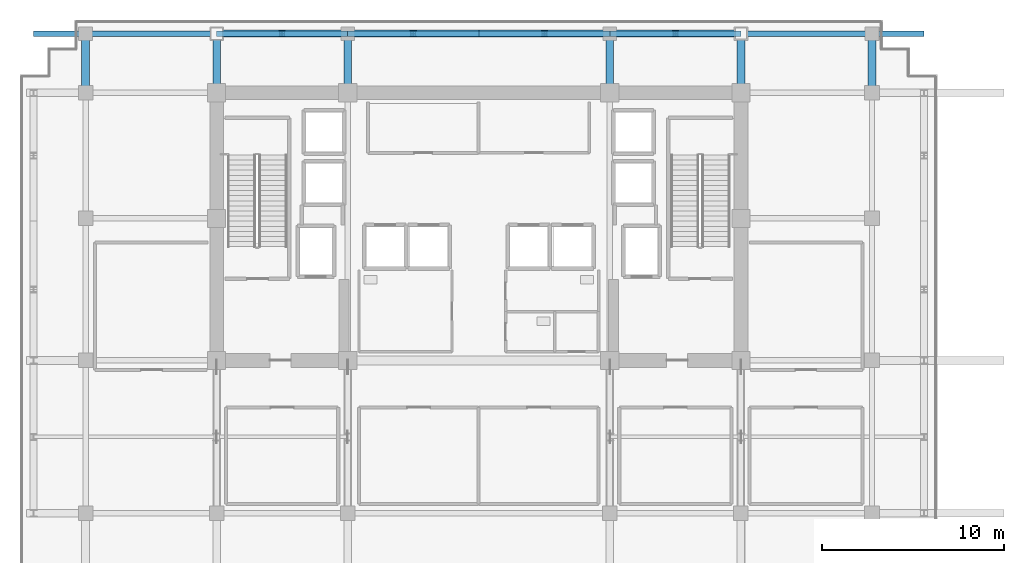
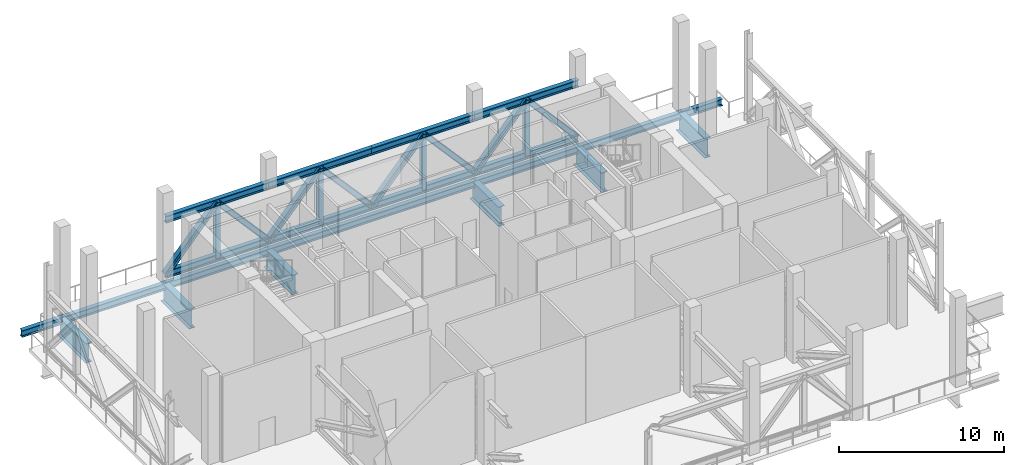
# One storey, part 4 of 13: 20 members, 13 beams.
"""IFC4 building model written with IfcOpenShell, lengths in metres."""

from ifc_helpers import new_model, si_unit, direction, frame, origin, origin_2d, place, context, subcontext, project, spatial, i_section, extrude, source, transform, mapped, material, material_profile, profile_set, type_object, element, save


model = new_model("IFC4")

# Units and contexts
model_context = context("Model", 3, precision=1e-05, world=origin(), true_north=direction((0.0, 1.0)))
body_context = subcontext(model_context, "Body", "Model", "MODEL_VIEW")
ifc_project = project(units=[si_unit("LENGTHUNIT", "METRE"), si_unit("AREAUNIT", "SQUARE_METRE"), si_unit("VOLUMEUNIT", "CUBIC_METRE"), si_unit("PLANEANGLEUNIT", "RADIAN"), si_unit("MASSUNIT", "GRAM", prefix="KILO")], contexts=[model_context])

# Site, building, storey
site_placement = place(None, origin())
site = spatial("IfcSite", under=ifc_project, at=site_placement, CompositionType="ELEMENT")
building_placement = place(site_placement, origin())
building = spatial("IfcBuilding", under=site, at=building_placement, Name="Zarnakvel Exchange Tower", CompositionType="ELEMENT")
storey_placement = place(building_placement, frame((0.0, 0.0, 139.60009765625)))
storey = spatial("IfcBuildingStorey", under=building, at=storey_placement, Name="L39", CompositionType="ELEMENT", Elevation=139.60009765625)

# Beams
ifc_material_1 = material(Name="Steel S355", Category="steel")
ifc_material_profile_1 = material_profile(ifc_material_1, i_section(OverallWidth=0.300048828125, OverallDepth=0.5, WebThickness=0.014404296875, FlangeThickness=0.028076171875, FilletRadius=0.027099609375, at=origin_2d()))
ifc_profile_set_1 = profile_set([ifc_material_profile_1], Name="Steel S355")
beam_type_1 = type_object("IfcBeamType", Name="SP-02", PredefinedType="SPANDREL", material=ifc_profile_set_1)
beam_1_placement = place(storey_placement, frame((-21.60009765625, 16.75, -0.5), z_axis=(1.0, 0.0, 0.0), x_axis=(0.0, 1.0, 0.0)))
element("IfcBeam", 1, at=beam_1_placement, inside=storey, type_object=beam_type_1, Name="L39 Tower E-W Frame Beam", PredefinedType="SPANDREL", context=body_context, shape_type="SweptSolid", body=[
    extrude(i_section(OverallWidth=0.300048828125, OverallDepth=0.5, WebThickness=0.014404296875, FlangeThickness=0.028076171875, FilletRadius=0.027099609375, at=origin_2d()), origin(), (0.0, 0.0, 1.0), 7.2001953125),
])
beam_2_placement = place(storey_placement, frame((-14.39990234375, 16.75, -0.5), z_axis=(1.0, 0.0, 0.0), x_axis=(0.0, 1.0, 0.0)))
element("IfcBeam", 2, at=beam_2_placement, inside=storey, type_object=beam_type_1, Name="L39 Tower E-W Frame Beam", PredefinedType="SPANDREL", context=body_context, shape_type="SweptSolid", body=[
    extrude(i_section(OverallWidth=0.300048828125, OverallDepth=0.5, WebThickness=0.014404296875, FlangeThickness=0.028076171875, FilletRadius=0.027099609375, at=origin_2d()), origin(), (0.0, 0.0, 1.0), 7.199951171875),
])
beam_3_placement = place(storey_placement, frame((-7.199951171875, 16.75, -0.5), z_axis=(1.0, 0.0, 0.0), x_axis=(0.0, 1.0, 0.0)))
element("IfcBeam", 3, at=beam_3_placement, inside=storey, type_object=beam_type_1, Name="L39 Tower E-W Frame Beam", PredefinedType="SPANDREL", context=body_context, shape_type="SweptSolid", body=[
    extrude(i_section(OverallWidth=0.300048828125, OverallDepth=0.5, WebThickness=0.014404296875, FlangeThickness=0.028076171875, FilletRadius=0.027099609375, at=origin_2d()), origin(), (0.0, 0.0, 1.0), 14.39990234375),
])
beam_4_placement = place(storey_placement, frame((7.199951171875, 16.75, -0.5), z_axis=(1.0, 0.0, 0.0), x_axis=(0.0, 1.0, 0.0)))
element("IfcBeam", 4, at=beam_4_placement, inside=storey, type_object=beam_type_1, Name="L39 Tower E-W Frame Beam", PredefinedType="SPANDREL", context=body_context, shape_type="SweptSolid", body=[
    extrude(i_section(OverallWidth=0.300048828125, OverallDepth=0.5, WebThickness=0.014404296875, FlangeThickness=0.028076171875, FilletRadius=0.027099609375, at=origin_2d()), origin(), (0.0, 0.0, 1.0), 7.199951171875),
])
beam_5_placement = place(storey_placement, frame((14.39990234375, 16.75, -0.5), z_axis=(1.0, 0.0, 0.0), x_axis=(0.0, 1.0, 0.0)))
element("IfcBeam", 5, at=beam_5_placement, inside=storey, type_object=beam_type_1, Name="L39 Tower E-W Frame Beam", PredefinedType="SPANDREL", context=body_context, shape_type="SweptSolid", body=[
    extrude(i_section(OverallWidth=0.300048828125, OverallDepth=0.5, WebThickness=0.014404296875, FlangeThickness=0.028076171875, FilletRadius=0.027099609375, at=origin_2d()), origin(), (0.0, 0.0, 1.0), 7.2001953125),
])
for number, where, z_axis, x_axis, name in (
    (6, (-24.449951171875, 16.75, -0.5), (1.0, 0.0, 0.0), (0.0, 1.0, 0.0), "L39 North-West Corner Spandrel"),
    (7, (21.60009765625, 16.75, -0.5), (1.0, 0.0, 0.0), (0.0, 1.0, 0.0), "L39 North-East Corner Spandrel"),
):
    element("IfcBeam", number, at=place(storey_placement, frame(where, z_axis=z_axis, x_axis=x_axis)), inside=storey, type_object=beam_type_1, Name=name, PredefinedType="SPANDREL", context=body_context, shape_type="SweptSolid", body=[
        extrude(i_section(OverallWidth=0.300048828125, OverallDepth=0.5, WebThickness=0.014404296875, FlangeThickness=0.028076171875, FilletRadius=0.027099609375, at=origin_2d()), origin(), (0.0, 0.0, 1.0), 2.849853515625),
    ])
ifc_material_2 = material(Name="Steel S460", Category="steel")
ifc_material_profile_2 = material_profile(ifc_material_2, i_section(OverallWidth=0.419921875, OverallDepth=1.449951171875, WebThickness=0.02392578125, FlangeThickness=0.0400390625, FilletRadius=0.030029296875, at=origin_2d()))
ifc_profile_set_2 = profile_set([ifc_material_profile_2], Name="Steel S460")
beam_type_2 = type_object("IfcBeamType", Name="TG-01", PredefinedType="BEAM", material=ifc_profile_set_2)
for number, where, z_axis, x_axis, name in (
    (8, (-14.39990234375, 13.5, -0.97509765625), (0.0, 1.0, 0.0), (-1.0, 0.0, 0.0), "L39 Setback N-S Transfer Girder TN-4"),
    (9, (-7.199951171875, 13.5, -0.97509765625), (0.0, 1.0, 0.0), (-1.0, 0.0, 0.0), "L39 Setback N-S Transfer Girder TN-5"),
    (10, (7.199951171875, 13.5, -0.97509765625), (0.0, 1.0, 0.0), (-1.0, 0.0, 0.0), "L39 Setback N-S Transfer Girder TN-8"),
    (11, (14.39990234375, 13.5, -0.97509765625), (0.0, 1.0, 0.0), (-1.0, 0.0, 0.0), "L39 Setback N-S Transfer Girder TN-9"),
    (12, (-21.60009765625, 13.5, -0.97509765625), (0.0, 1.0, 0.0), (-1.0, 0.0, 0.0), "L39 Setback N-S Transfer Girder TN-3"),
    (13, (21.60009765625, 13.5, -0.97509765625), (0.0, 1.0, 0.0), (-1.0, 0.0, 0.0), "L39 Setback N-S Transfer Girder TN-10"),
):
    element("IfcBeam", number, at=place(storey_placement, frame(where, z_axis=z_axis, x_axis=x_axis)), inside=storey, type_object=beam_type_2, Name=name, PredefinedType="BEAM", context=body_context, shape_type="SweptSolid", body=[
        extrude(i_section(OverallWidth=0.419921875, OverallDepth=1.449951171875, WebThickness=0.02392578125, FlangeThickness=0.0400390625, FilletRadius=0.030029296875, at=origin_2d()), origin(), (0.0, 0.0, 1.0), 3.449951171875),
    ])

# Members
ifc_material_profile_3 = material_profile(ifc_material_1, i_section(OverallWidth=0.305908203125, OverallDepth=0.52392578125, WebThickness=0.02099609375, FlangeThickness=0.0400390625, FilletRadius=0.027099609375, at=origin_2d()))
ifc_profile_set_3 = profile_set([ifc_material_profile_3], Name="Steel S355")
member_type_1 = type_object("IfcMemberType", Name="BT-02", PredefinedType="CHORD", material=ifc_profile_set_3)
shared_shape_1 = source(origin(), body_context, "Body", "SweptSolid", [
    extrude(i_section(OverallWidth=0.305908203125, OverallDepth=0.52392578125, WebThickness=0.02099609375, FlangeThickness=0.0400390625, FilletRadius=0.027099609375, at=origin_2d()), origin(), (0.0, 0.0, 1.0), 7.199951171875),
])
for number, where, z_axis, x_axis, name in (
    (14, (-14.39990234375, 16.75, 0.349853515625), (1.0, 0.0, 0.0), (0.0, 1.0, 0.0), "L39 Belt Truss Bottom Chord N-W1"),
    (15, (-14.39990234375, 16.75, 4.4248046875), (1.0, 0.0, 0.0), (0.0, 1.0, 0.0), "L39 Belt Truss Top Chord N-W1"),
    (16, (-7.199951171875, 16.75, 0.349853515625), (1.0, 0.0, 0.0), (0.0, 1.0, 0.0), "L39 Belt Truss Bottom Chord N-C1"),
    (17, (-7.199951171875, 16.75, 4.4248046875), (1.0, 0.0, 0.0), (0.0, 1.0, 0.0), "L39 Belt Truss Top Chord N-C1"),
    (18, (0.0, 16.75, 0.349853515625), (1.0, 0.0, 0.0), (0.0, 1.0, 0.0), "L39 Belt Truss Bottom Chord N-C2"),
    (19, (0.0, 16.75, 4.4248046875), (1.0, 0.0, 0.0), (0.0, 1.0, 0.0), "L39 Belt Truss Top Chord N-C2"),
    (20, (7.199951171875, 16.75, 0.349853515625), (1.0, 0.0, 0.0), (0.0, 1.0, 0.0), "L39 Belt Truss Bottom Chord N-E1"),
    (21, (7.199951171875, 16.75, 4.4248046875), (1.0, 0.0, 0.0), (0.0, 1.0, 0.0), "L39 Belt Truss Top Chord N-E1"),
):
    element("IfcMember", number, at=place(storey_placement, frame(where, z_axis=z_axis, x_axis=x_axis)), inside=storey, type_object=member_type_1, Name=name, PredefinedType="CHORD", context=body_context, shape_type="MappedRepresentation", body=[
        mapped(shared_shape_1, transform((0.0, 0.0, 0.0), x_axis=(1.0, 0.0, 0.0), y_axis=(0.0, 1.0, 0.0), z_axis=(0.0, 0.0, 1.0), scale=1.0)),
    ])
ifc_material_profile_4 = material_profile(ifc_material_1, i_section(OverallWidth=0.30908203125, OverallDepth=0.35888671875, WebThickness=0.02099609375, FlangeThickness=0.033935546875, FilletRadius=0.014892578125, at=origin_2d()))
ifc_profile_set_4 = profile_set([ifc_material_profile_4], Name="Steel S355")
member_type_2 = type_object("IfcMemberType", Name="BT-03", PredefinedType="STRUT", material=ifc_profile_set_4)
shared_shape_2 = source(origin(), body_context, "Body", "SweptSolid", [
    extrude(i_section(OverallWidth=0.30908203125, OverallDepth=0.35888671875, WebThickness=0.02099609375, FlangeThickness=0.033935546875, FilletRadius=0.014892578125, at=origin_2d()), origin(), (0.0, 0.0, 1.0), 4.074951171875),
])
for number, where, z_axis, x_axis, name in (
    (22, (-10.800048828125, 16.75, 0.349853515625), (0.0, 0.0, 1.0), (1.0, 0.0, 0.0), "L39 Belt Truss Vertical Post N-W1"),
    (23, (-3.60009765625, 16.75, 0.349853515625), (0.0, 0.0, 1.0), (1.0, 0.0, 0.0), "L39 Belt Truss Vertical Post N-C1"),
    (24, (3.60009765625, 16.75, 0.349853515625), (0.0, 0.0, 1.0), (1.0, 0.0, 0.0), "L39 Belt Truss Vertical Post N-C2"),
    (25, (10.800048828125, 16.75, 0.349853515625), (0.0, 0.0, 1.0), (1.0, 0.0, 0.0), "L39 Belt Truss Vertical Post N-E1"),
):
    element("IfcMember", number, at=place(storey_placement, frame(where, z_axis=z_axis, x_axis=x_axis)), inside=storey, type_object=member_type_2, Name=name, PredefinedType="STRUT", context=body_context, shape_type="MappedRepresentation", body=[
        mapped(shared_shape_2, transform((0.0, 0.0, 0.0), x_axis=(1.0, 0.0, 0.0), y_axis=(0.0, 1.0, 0.0), z_axis=(0.0, 0.0, 1.0), scale=1.0)),
    ])
ifc_material_profile_5 = material_profile(ifc_material_1, i_section(OverallWidth=0.3740234375, OverallDepth=0.364013671875, WebThickness=0.01806640625, FlangeThickness=0.027587890625, FilletRadius=0.014892578125, at=origin_2d()))
ifc_profile_set_5 = profile_set([ifc_material_profile_5], Name="Steel S355")
member_type_3 = type_object("IfcMemberType", Name="BT-01", PredefinedType="BRACE", material=ifc_profile_set_5)
shared_shape_3 = source(origin(), body_context, "Body", "SweptSolid", [
    extrude(i_section(OverallWidth=0.3740234375, OverallDepth=0.364013671875, WebThickness=0.01806640625, FlangeThickness=0.027587890625, FilletRadius=0.014892578125, at=origin_2d()), origin(), (0.0, 0.0, 1.0), 5.437255859375),
])
for number, where, z_axis, x_axis, name in (
    (26, (-14.39990234375, 16.75, 0.349853515625), (0.66206703727, 0.0, 0.749444619809), (0.0, 1.0, 0.0), "L39 Belt Truss Chevron Left N-W1"),
    (27, (-7.199951171875, 16.75, 0.349853515625), (0.66206703727, 0.0, 0.749444619809), (0.0, 1.0, 0.0), "L39 Belt Truss Chevron Left N-C1"),
    (28, (7.199951171875, 16.75, 0.349853515625), (-0.66206703727, 0.0, 0.749444619809), (0.0, -1.0, 0.0), "L39 Belt Truss Chevron Right N-C2"),
    (29, (14.39990234375, 16.75, 0.349853515625), (-0.66206703727, 0.0, 0.749444619809), (0.0, -1.0, 0.0), "L39 Belt Truss Chevron Right N-E1"),
):
    element("IfcMember", number, at=place(storey_placement, frame(where, z_axis=z_axis, x_axis=x_axis)), inside=storey, type_object=member_type_3, Name=name, PredefinedType="BRACE", context=body_context, shape_type="MappedRepresentation", body=[
        mapped(shared_shape_3, transform((0.0, 0.0, 0.0), x_axis=(1.0, 0.0, 0.0), y_axis=(0.0, 1.0, 0.0), z_axis=(0.0, 0.0, 1.0), scale=1.0)),
    ])
shared_shape_4 = source(origin(), body_context, "Body", "SweptSolid", [
    extrude(i_section(OverallWidth=0.3740234375, OverallDepth=0.364013671875, WebThickness=0.01806640625, FlangeThickness=0.027587890625, FilletRadius=0.014892578125, at=origin_2d()), origin(), (0.0, 0.0, 1.0), 5.4375),
])
for number, where, z_axis, x_axis, name in (
    (30, (-7.199951171875, 16.75, 0.349853515625), (-0.662092255635, 0.0, 0.749422340892), (0.0, -1.0, 0.0), "L39 Belt Truss Chevron Right N-W1"),
    (31, (0.0, 16.75, 0.349853515625), (-0.662092255635, 0.0, 0.749422340892), (0.0, -1.0, 0.0), "L39 Belt Truss Chevron Right N-C1"),
    (32, (0.0, 16.75, 0.349853515625), (0.662092255635, 0.0, 0.749422340892), (0.0, 1.0, 0.0), "L39 Belt Truss Chevron Left N-C2"),
    (33, (7.199951171875, 16.75, 0.349853515625), (0.662092255635, 0.0, 0.749422340892), (0.0, 1.0, 0.0), "L39 Belt Truss Chevron Left N-E1"),
):
    element("IfcMember", number, at=place(storey_placement, frame(where, z_axis=z_axis, x_axis=x_axis)), inside=storey, type_object=member_type_3, Name=name, PredefinedType="BRACE", context=body_context, shape_type="MappedRepresentation", body=[
        mapped(shared_shape_4, transform((0.0, 0.0, 0.0), x_axis=(1.0, 0.0, 0.0), y_axis=(0.0, 1.0, 0.0), z_axis=(0.0, 0.0, 1.0), scale=1.0)),
    ])

save(model, "model.ifc")
